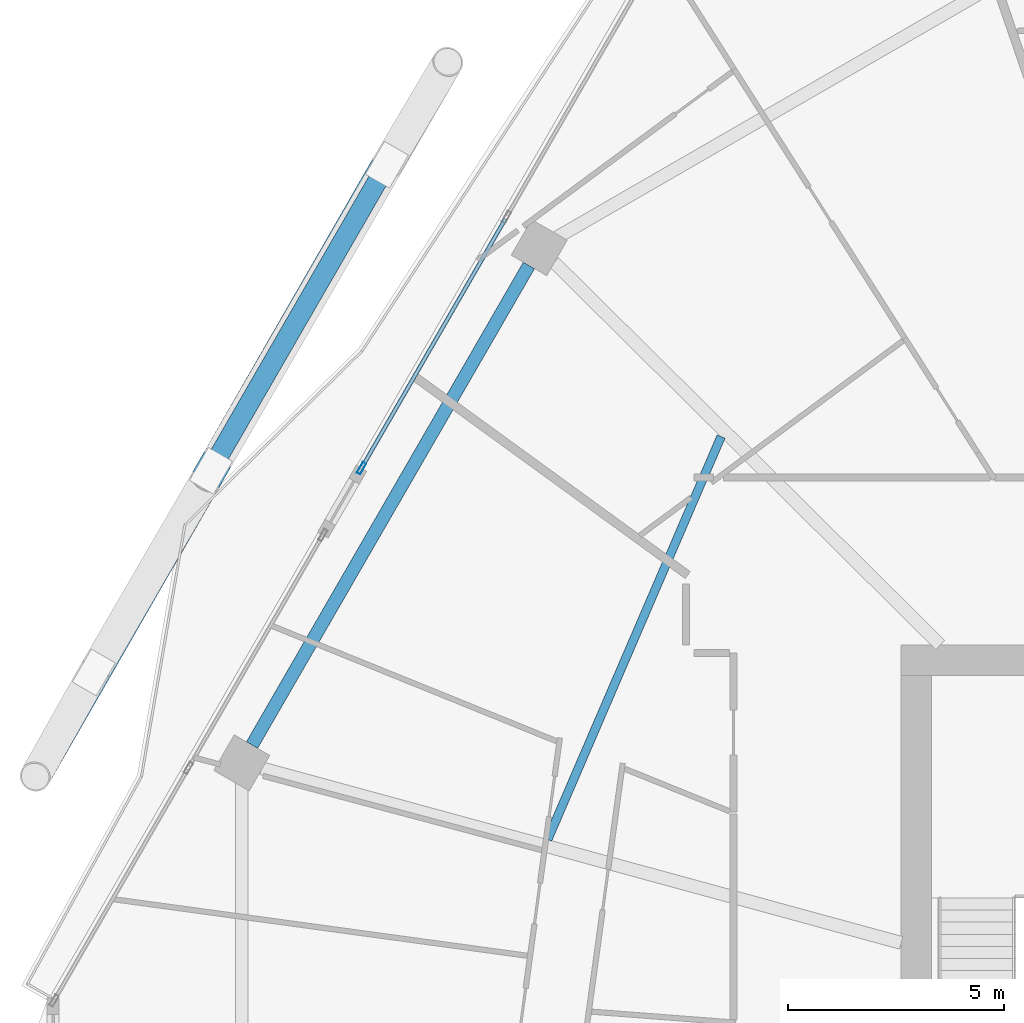
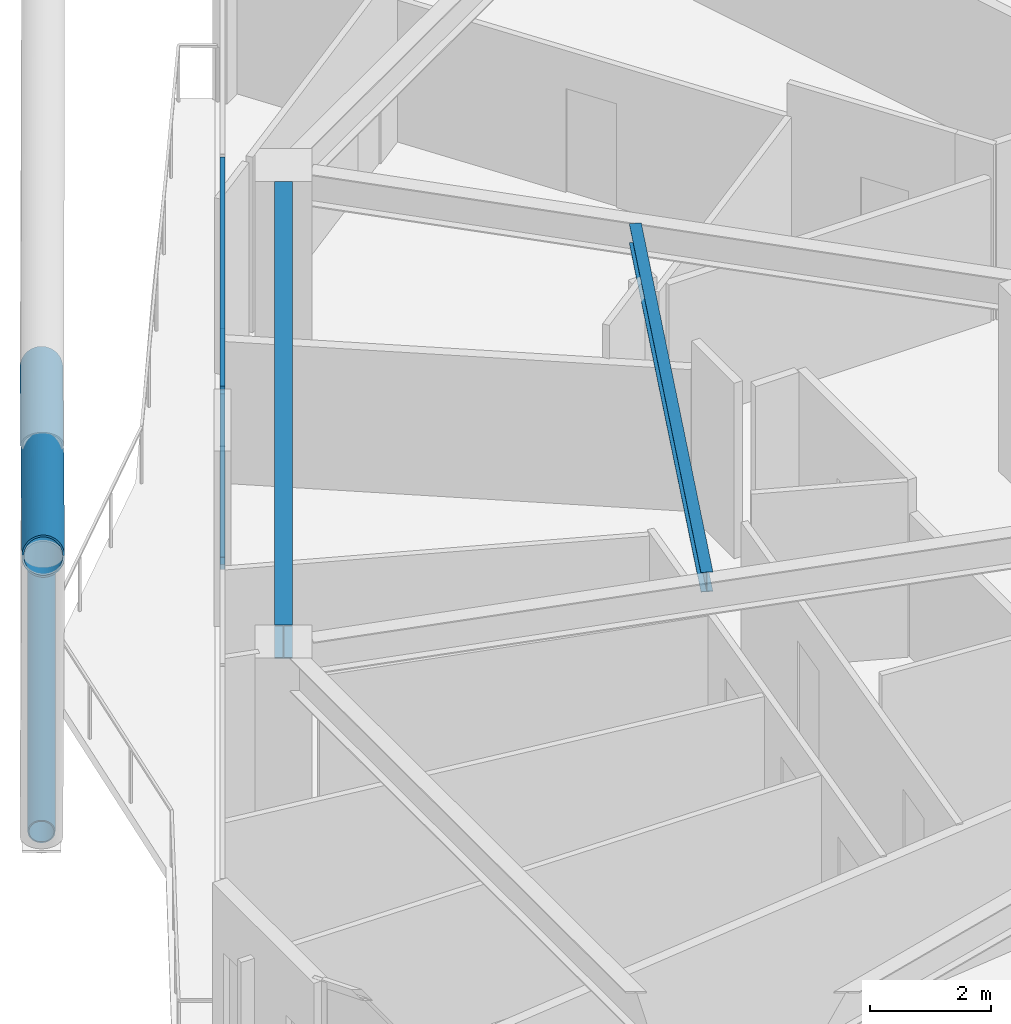
# One storey, part 11 of 28: 5 members, 2 beams, 1 element without a shape of its own.
"""IFC4 building model written with IfcOpenShell, lengths in metres."""

import ifcopenshell
import ifcopenshell.guid

model = None  # the IFC model being written
_history = None  # IfcOwnerHistory: only IFC2X3 demands one
_inside = {}  # id of a spatial element -> (the spatial element, [elements in it])
_under = {}  # id of a project, library or spatial element -> (it, [spatial elements below it])
_declared = {}  # id of a project -> (the project, [libraries it declares])
_typed = {}  # id of a type object -> (the type object, [elements of that type])
_made_of = {}  # id of a material, layer set ... -> (it, [elements and type objects made of it])


def new_model(schema):
    """Start an empty IFC model of exactly this schema.

    Asked for "IFC4X3", IfcOpenShell would pick the latest addendum, in which some entities
    have other attributes; the version numbers below select the first issue.
    IFC2X3 requires an IfcOwnerHistory on every rooted entity: one is made here for all.
    """
    global model, _history
    if schema == "IFC4X3":
        model = ifcopenshell.file(schema_version=(4, 3, 0, 0))
    else:
        model = ifcopenshell.file(schema=schema)
    _inside.clear()
    _under.clear()
    _declared.clear()
    _typed.clear()
    _made_of.clear()
    _history = None
    if model.schema == "IFC2X3":
        org = make("IfcOrganization", Name="unknown")
        user = make(
            "IfcPersonAndOrganization",
            ThePerson=make("IfcPerson", FamilyName="unknown"),
            TheOrganization=org,
        )
        app = make(
            "IfcApplication",
            ApplicationDeveloper=org,
            Version="unknown",
            ApplicationFullName="unknown",
            ApplicationIdentifier="unknown",
        )
        _history = make(
            "IfcOwnerHistory",
            OwningUser=user,
            OwningApplication=app,
            ChangeAction="ADDED",
            CreationDate=0,
        )
    return model


def make(cls, **values):
    """One entity of the class cls with the attributes given. An attribute that is None is left unset."""
    return model.create_entity(
        cls, **{name: value for name, value in values.items() if value is not None}
    )


def rooted(cls, **values):
    """An entity with a GlobalId (a new one), such as an element, a storey or a relation."""
    return make(cls, GlobalId=ifcopenshell.guid.new(), OwnerHistory=_history, **values)


def si_unit(unit_type, name, prefix=None):
    """IfcSIUnit, for example si_unit("LENGTHUNIT", "METRE", prefix="MILLI")."""
    return make("IfcSIUnit", UnitType=unit_type, Prefix=prefix, Name=name)


def assignment(units):
    """IfcUnitAssignment: the units of a project."""
    return None if units is None else make("IfcUnitAssignment", Units=units)


def point(xyz):
    """IfcCartesianPoint."""
    return None if xyz is None else make("IfcCartesianPoint", Coordinates=xyz)


def direction(xyz):
    """IfcDirection."""
    return None if xyz is None else make("IfcDirection", DirectionRatios=xyz)


def frame(location, z_axis=None, x_axis=None):
    """IfcAxis2Placement3D, a coordinate frame: its origin and axes. An axis left out is left unset."""
    return make(
        "IfcAxis2Placement3D",
        Location=point(location),
        Axis=direction(z_axis),
        RefDirection=direction(x_axis),
    )


def frame_2d(location, x_axis=None):
    """IfcAxis2Placement2D, a coordinate frame in the plane: its origin and x axis."""
    return make(
        "IfcAxis2Placement2D", Location=point(location), RefDirection=direction(x_axis)
    )


def origin():
    """The frame at (0, 0, 0) with its axes left unset."""
    return frame((0.0, 0.0, 0.0))


def origin_2d():
    """The frame at (0, 0) in the plane with its x axis left unset."""
    return frame_2d((0.0, 0.0))


def place(relative_to, where):
    """IfcLocalPlacement: puts the frame where relative to a parent placement (None: the world)."""
    return make(
        "IfcLocalPlacement", PlacementRelTo=relative_to, RelativePlacement=where
    )


def context(
    kind, dimensions, precision=None, world=None, true_north=None, identifier=None
):
    """IfcGeometricRepresentationContext, for example the 3D "Model" context."""
    return make(
        "IfcGeometricRepresentationContext",
        ContextIdentifier=identifier,
        ContextType=kind,
        CoordinateSpaceDimension=dimensions,
        Precision=precision,
        WorldCoordinateSystem=world,
        TrueNorth=true_north,
    )


def subcontext(parent, identifier, kind, view, scale=None):
    """IfcGeometricRepresentationSubContext, for example "Body" below "Model"."""
    return make(
        "IfcGeometricRepresentationSubContext",
        ContextIdentifier=identifier,
        ContextType=kind,
        ParentContext=parent,
        TargetScale=scale,
        TargetView=view,
    )


def project(units=None, contexts=None):
    """IfcProject with its units and contexts."""
    return rooted(
        "IfcProject",
        Name="project",
        RepresentationContexts=contexts,
        UnitsInContext=assignment(units),
    )


def spatial(cls, under=None, at=None, **own):
    """A site, building, storey or space (cls), placed at a placement, below another one or the project."""
    s = rooted(cls, ObjectPlacement=at, **own)
    if under is not None:
        _under.setdefault(under.id(), (under, []))[1].append(s)
    return s


def profile(cls, at=None, kind="AREA", **sizes):
    """A parametric profile (cls). Its sizes go by their IFC names, for example OverallWidth=200.0."""
    return make(cls, ProfileType=kind, Position=at, **sizes)


def hollow_rectangle(**sizes):
    """IfcRectangleHollowProfileDef."""
    return profile("IfcRectangleHollowProfileDef", **sizes)


def hollow_circle(**sizes):
    """IfcCircleHollowProfileDef."""
    return profile("IfcCircleHollowProfileDef", **sizes)


def i_section(**sizes):
    """IfcIShapeProfileDef."""
    return profile("IfcIShapeProfileDef", **sizes)


def extrude(swept, where, along, depth):
    """IfcExtrudedAreaSolid: the profile swept, set in the frame where, extruded along a direction by depth."""
    return make(
        "IfcExtrudedAreaSolid",
        SweptArea=swept,
        Position=where,
        ExtrudedDirection=direction(along),
        Depth=depth,
    )


def shape(context_of_items, identifier, shape_type, items):
    """IfcShapeRepresentation: the items that make up one representation, for example the "Body"."""
    return make(
        "IfcShapeRepresentation",
        ContextOfItems=context_of_items,
        RepresentationIdentifier=identifier,
        RepresentationType=shape_type,
        Items=items,
    )


def material(Name=None, Category=None):
    """IfcMaterial."""
    return make("IfcMaterial", Name=Name, Category=Category)


def material_profile(
    of_material, cross_section, Name=None, Category=None, Priority=None
):
    """IfcMaterialProfile: a cross section and its material."""
    return make(
        "IfcMaterialProfile",
        Name=Name,
        Material=of_material,
        Profile=cross_section,
        Priority=Priority,
        Category=Category,
    )


def profile_set(profiles, Name=None, composite=None):
    """IfcMaterialProfileSet."""
    return make(
        "IfcMaterialProfileSet",
        Name=Name,
        MaterialProfiles=profiles,
        CompositeProfile=composite,
    )


def made_of(thing, what):
    """Note that an element or type object is made of a material, layer set ...; save() writes the relation."""
    if what is not None:
        _made_of.setdefault(what.id(), (what, []))[1].append(thing)
    return thing


def type_object(cls, material=None, **own):
    """A type object (cls), such as IfcWallType, which elements share."""
    return made_of(rooted(cls, **own), material)


def element(
    cls,
    number,
    at=None,
    inside=None,
    cuts=None,
    type_object=None,
    material=None,
    context=None,
    identifier="Body",
    shape_type=None,
    held_by="IfcProductDefinitionShape",
    body=None,
    shapes=None,
    **own,
):
    """One element of the class cls, such as IfcWall. Its Tag is "e" and its number.

    at: its placement. inside: the storey or other place that contains it. cuts: it is an
    opening in that element (IfcRelVoidsElement). A single representation is given by context,
    identifier, shape_type and body (its items); several are given by shapes. held_by: the class
    of the entity that holds the representations. save() writes the other relations.
    """
    e = rooted(cls, Tag="e%d" % number, ObjectPlacement=at, **own)
    if body is not None:
        shapes = [shape(context, identifier, shape_type, body)]
    if shapes is not None:
        e.Representation = make(held_by, Representations=shapes)
    if inside is not None:
        _inside.setdefault(inside.id(), (inside, []))[1].append(e)
    if cuts is not None:
        rooted(
            "IfcRelVoidsElement", RelatingBuildingElement=cuts, RelatedOpeningElement=e
        )
    if type_object is not None:
        _typed.setdefault(type_object.id(), (type_object, []))[1].append(e)
    return made_of(e, material)


def aggregate(whole, parts):
    """IfcRelAggregates: a whole, such as a stair, and the parts it consists of."""
    return rooted("IfcRelAggregates", RelatingObject=whole, RelatedObjects=parts)


def save(model, path):
    """Write the relations noted so far, then the file.

    IfcRelAggregates (storeys below a building ...), IfcRelContainedInSpatialStructure (elements
    in a storey), IfcRelDefinesByType, IfcRelAssociatesMaterial and IfcRelDeclares: one each for
    every whole, place, type object, material and project.
    """
    for whole, parts in _under.values():
        aggregate(whole, parts)
    for where, things in _inside.values():
        rooted(
            "IfcRelContainedInSpatialStructure",
            RelatedElements=things,
            RelatingStructure=where,
        )
    for kind, things in _typed.values():
        rooted("IfcRelDefinesByType", RelatedObjects=things, RelatingType=kind)
    for what, things in _made_of.values():
        rooted("IfcRelAssociatesMaterial", RelatedObjects=things, RelatingMaterial=what)
    for by, libraries in _declared.values():
        rooted("IfcRelDeclares", RelatingContext=by, RelatedDefinitions=libraries)
    model.write(path)


model = new_model("IFC4")

# Units and contexts
model_context = context("Model", 3, precision=1e-05, world=origin(), true_north=direction((0.0, 1.0)))
body_context = subcontext(model_context, "Body", "Model", "MODEL_VIEW")
ifc_project = project(units=[si_unit("LENGTHUNIT", "METRE"), si_unit("AREAUNIT", "SQUARE_METRE"), si_unit("VOLUMEUNIT", "CUBIC_METRE"), si_unit("PLANEANGLEUNIT", "RADIAN"), si_unit("MASSUNIT", "GRAM", prefix="KILO")], contexts=[model_context])

# Site, building, storey
site_placement = place(None, origin())
site = spatial("IfcSite", under=ifc_project, at=site_placement, CompositionType="ELEMENT")
building_placement = place(site_placement, origin())
building = spatial("IfcBuilding", under=site, at=building_placement, Name="Zuhravey Tower", CompositionType="ELEMENT")
storey_placement = place(building_placement, frame((0.0, 0.0, 199.800048828125)))
storey = spatial("IfcBuildingStorey", under=building, at=storey_placement, Name="L50", CompositionType="ELEMENT", Elevation=199.800048828125)

# Curtain wall, members
ifc_material_1 = material(Name="Thermally broken anodised aluminium", Category="aluminium")
curtain_wall_type = type_object("IfcCurtainWallType", Name="Zone 1-2 Residential Curtain Wall CW3", PredefinedType="NOTDEFINED", material=ifc_material_1)
curtain_wall_placement = place(storey_placement, origin())
curtain_wall = element("IfcCurtainWall", 1, at=curtain_wall_placement, inside=storey, type_object=curtain_wall_type, Name="L50 CW3 CW-L50-F3-2", PredefinedType="NOTDEFINED")
ifc_material_2 = material(Name="Anodised aluminium", Category="aluminium")
ifc_material_profile_1 = material_profile(ifc_material_2, hollow_rectangle(XDim=0.090087890625, YDim=0.284912109375, WallThickness=0.0048828125, at=origin_2d()), Name="ALU-RHS-90x285x5")
ifc_profile_set_1 = profile_set([ifc_material_profile_1], Name="Anodised aluminium")
member_type_1 = type_object("IfcMemberType", Name="Curtain-Wall Mullion 90x180", PredefinedType="MULLION", material=ifc_profile_set_1)
member_1_placement = place(storey_placement, frame((12.662841796875, 45.94482421875, 0.0), z_axis=(0.0, 0.0, 1.0), x_axis=(-0.866027054006, 0.499997141722, 0.0)))
member_1 = element("IfcMember", 2, at=member_1_placement, type_object=member_type_1, Name="CW3 mullion 1", PredefinedType="MULLION", context=body_context, shape_type="SweptSolid", body=[
    extrude(hollow_rectangle(XDim=0.090087890625, YDim=0.284912109375, WallThickness=0.0048828125, at=origin_2d()), origin(), (0.0, 0.0, 1.0), 3.550048828125),
])
ifc_material_profile_2 = material_profile(ifc_material_2, hollow_rectangle(XDim=0.090087890625, YDim=0.14990234375, WallThickness=0.0048828125, at=origin_2d()), Name="ALU-RHS-90x150x5")
ifc_profile_set_2 = profile_set([ifc_material_profile_2], Name="Anodised aluminium")
member_type_2 = type_object("IfcMemberType", Name="Curtain-Wall Transom 90x150", PredefinedType="USERDEFINED", material=ifc_profile_set_2)
member_2_placement = place(storey_placement, frame((12.685302734375, 45.98388671875, 0.044921875), z_axis=(0.49999405694, 0.866028834985, 0.0), x_axis=(-0.866028834985, 0.49999405694, 0.0)))
member_2 = element("IfcMember", 3, at=member_2_placement, type_object=member_type_2, Name="CW3 transom 1.1", ObjectType="TRANSOM", PredefinedType="USERDEFINED", context=body_context, shape_type="SweptSolid", body=[
    extrude(hollow_rectangle(XDim=0.090087890625, YDim=0.14990234375, WallThickness=0.0048828125, at=origin_2d()), origin(), (0.0, 0.0, 1.0), 6.61376953125),
])
member_3_placement = place(storey_placement, frame((12.685302734375, 45.98388671875, 3.5048828125), z_axis=(0.49999405694, 0.866028834985, 0.0), x_axis=(-0.866028834985, 0.49999405694, 0.0)))
member_3 = element("IfcMember", 4, at=member_3_placement, type_object=member_type_2, Name="CW3 transom 1.2", ObjectType="TRANSOM", PredefinedType="USERDEFINED", context=body_context, shape_type="SweptSolid", body=[
    extrude(hollow_rectangle(XDim=0.090087890625, YDim=0.14990234375, WallThickness=0.0048828125, at=origin_2d()), origin(), (0.0, 0.0, 1.0), 6.61376953125),
])
aggregate(curtain_wall, [member_1, member_2, member_3])

# Members
ifc_material_3 = material(Name="Steel SM355", Category="steel")
ifc_material_profile_3 = material_profile(ifc_material_3, hollow_circle(Radius=0.228515625, WallThickness=0.02197265625, at=origin_2d()), Name="CHS-457.2x22")
ifc_profile_set_3 = profile_set([ifc_material_profile_3], Name="Steel SM355")
member_type_3 = type_object("IfcMemberType", Name="Exoskeleton Ring Tie CHS457x22", PredefinedType="CHORD", material=ifc_profile_set_3)
member_4_placement = place(storey_placement, frame((13.18115234375, 52.8427734375, -0.464111328125), z_axis=(-0.499996131841, -0.866027637056, 0.0), x_axis=(0.866027637056, -0.499996131841, 0.0)))
element("IfcMember", 5, at=member_4_placement, inside=storey, type_object=member_type_3, Name="L50 Exoskeleton Face 3 Tie EXR1", PredefinedType="CHORD", context=body_context, shape_type="SweptSolid", body=[
    extrude(hollow_circle(Radius=0.228515625, WallThickness=0.02197265625, at=origin_2d()), origin(), (0.0, 0.0, 1.0), 13.28173828125),
])
ifc_material_4 = material(Name="Steel SM460", Category="steel")
ifc_material_profile_4 = material_profile(ifc_material_4, hollow_circle(Radius=0.355712890625, WallThickness=0.031982421875, at=origin_2d()), Name="CHS-711.2x32")
ifc_profile_set_4 = profile_set([ifc_material_profile_4], Name="Steel SM460")
member_type_4 = type_object("IfcMemberType", Name="Exoskeleton Zone 2 Diagrid CHS711x32", PredefinedType="BRACE", material=ifc_profile_set_4)
member_5_placement = place(storey_placement, frame((13.229736328125, 52.9267578125, -0.444091796875), z_axis=(-0.451894795802, -0.786041396785, 0.421817515126), x_axis=(0.86694395581, -0.498405635486, 0.0)))
element("IfcMember", 6, at=member_5_placement, inside=storey, type_object=member_type_4, Name="L50 Face 3 Diagrid Brace 2", PredefinedType="BRACE", context=body_context, shape_type="SweptSolid", body=[
    extrude(hollow_circle(Radius=0.355712890625, WallThickness=0.031982421875, at=origin_2d()), origin(), (0.0, 0.0, 1.0), 17.922607421875),
])

# Beams
ifc_material_profile_5 = material_profile(ifc_material_3, i_section(OverallWidth=0.300048828125, OverallDepth=0.679931640625, WebThickness=0.012939453125, FlangeThickness=0.02197265625, at=origin_2d()), Name="H-680x300x13x22")
ifc_profile_set_5 = profile_set([ifc_material_profile_5], Name="Steel SM355")
beam_type_1 = type_object("IfcBeamType", Name="Perimeter Ring Beam H680x300", PredefinedType="BEAM", material=ifc_profile_set_5)
beam_1_placement = place(storey_placement, frame((16.535400390625, 50.632568359375, 3.2099609375), z_axis=(-0.500003505699, -0.866023379758, 0.0), x_axis=(0.866023379758, -0.500003505699, 0.0)))
element("IfcBeam", 7, at=beam_1_placement, inside=storey, type_object=beam_type_1, Name="L50 PB2 BM-L50-PB-05", PredefinedType="BEAM", context=body_context, shape_type="SweptSolid", body=[
    extrude(i_section(OverallWidth=0.300048828125, OverallDepth=0.679931640625, WebThickness=0.012939453125, FlangeThickness=0.02197265625, at=origin_2d()), origin(), (0.0, 0.0, 1.0), 12.80810546875),
])
ifc_material_profile_6 = material_profile(ifc_material_3, i_section(OverallWidth=0.199951171875, OverallDepth=0.39990234375, WebThickness=0.008056640625, FlangeThickness=0.012939453125, at=origin_2d()), Name="H-400x200x8x13")
ifc_profile_set_6 = profile_set([ifc_material_profile_6], Name="Steel SM355")
beam_type_2 = type_object("IfcBeamType", Name="Secondary Floor Joist H400x200", PredefinedType="JOIST", material=ifc_profile_set_6)
beam_2_placement = place(storey_placement, frame((20.982421875, 46.676025390625, 3.349853515625), z_axis=(-0.395265853487, -0.918566766799, 0.0), x_axis=(0.918566766799, -0.395265853487, 0.0)))
element("IfcBeam", 8, at=beam_2_placement, inside=storey, type_object=beam_type_2, Name="L50 SJ2 BM-L50-SJ-05-1", PredefinedType="JOIST", context=body_context, shape_type="SweptSolid", body=[
    extrude(i_section(OverallWidth=0.199951171875, OverallDepth=0.39990234375, WebThickness=0.008056640625, FlangeThickness=0.012939453125, at=origin_2d()), origin(), (0.0, 0.0, 1.0), 10.150146484375),
])

save(model, "model.ifc")
